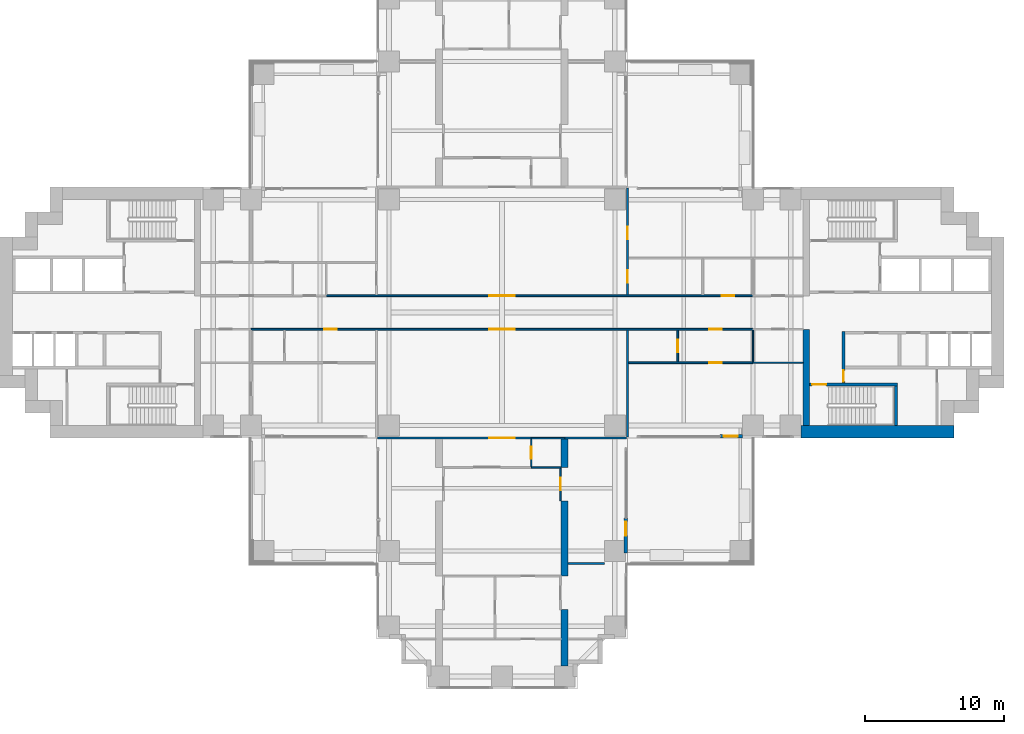
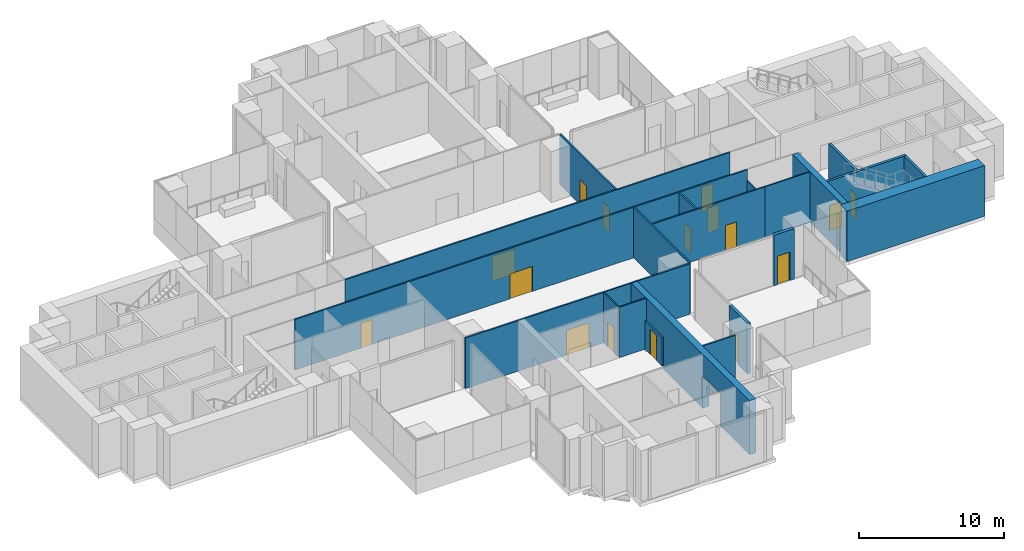
# One storey, part 9 of 15: 23 walls, 16 doors, 16 openings.
"""IFC4 building model written with IfcOpenShell, lengths in metres."""

import ifcopenshell
import ifcopenshell.guid

model = None  # the IFC model being written
_history = None  # IfcOwnerHistory: only IFC2X3 demands one
_inside = {}  # id of a spatial element -> (the spatial element, [elements in it])
_under = {}  # id of a project, library or spatial element -> (it, [spatial elements below it])
_declared = {}  # id of a project -> (the project, [libraries it declares])
_typed = {}  # id of a type object -> (the type object, [elements of that type])
_made_of = {}  # id of a material, layer set ... -> (it, [elements and type objects made of it])


def new_model(schema):
    """Start an empty IFC model of exactly this schema.

    Asked for "IFC4X3", IfcOpenShell would pick the latest addendum, in which some entities
    have other attributes; the version numbers below select the first issue.
    IFC2X3 requires an IfcOwnerHistory on every rooted entity: one is made here for all.
    """
    global model, _history
    if schema == "IFC4X3":
        model = ifcopenshell.file(schema_version=(4, 3, 0, 0))
    else:
        model = ifcopenshell.file(schema=schema)
    _inside.clear()
    _under.clear()
    _declared.clear()
    _typed.clear()
    _made_of.clear()
    _history = None
    if model.schema == "IFC2X3":
        org = make("IfcOrganization", Name="unknown")
        user = make(
            "IfcPersonAndOrganization",
            ThePerson=make("IfcPerson", FamilyName="unknown"),
            TheOrganization=org,
        )
        app = make(
            "IfcApplication",
            ApplicationDeveloper=org,
            Version="unknown",
            ApplicationFullName="unknown",
            ApplicationIdentifier="unknown",
        )
        _history = make(
            "IfcOwnerHistory",
            OwningUser=user,
            OwningApplication=app,
            ChangeAction="ADDED",
            CreationDate=0,
        )
    return model


def make(cls, **values):
    """One entity of the class cls with the attributes given. An attribute that is None is left unset."""
    return model.create_entity(
        cls, **{name: value for name, value in values.items() if value is not None}
    )


def rooted(cls, **values):
    """An entity with a GlobalId (a new one), such as an element, a storey or a relation."""
    return make(cls, GlobalId=ifcopenshell.guid.new(), OwnerHistory=_history, **values)


def si_unit(unit_type, name, prefix=None):
    """IfcSIUnit, for example si_unit("LENGTHUNIT", "METRE", prefix="MILLI")."""
    return make("IfcSIUnit", UnitType=unit_type, Prefix=prefix, Name=name)


def assignment(units):
    """IfcUnitAssignment: the units of a project."""
    return None if units is None else make("IfcUnitAssignment", Units=units)


def point(xyz):
    """IfcCartesianPoint."""
    return None if xyz is None else make("IfcCartesianPoint", Coordinates=xyz)


def direction(xyz):
    """IfcDirection."""
    return None if xyz is None else make("IfcDirection", DirectionRatios=xyz)


def frame(location, z_axis=None, x_axis=None):
    """IfcAxis2Placement3D, a coordinate frame: its origin and axes. An axis left out is left unset."""
    return make(
        "IfcAxis2Placement3D",
        Location=point(location),
        Axis=direction(z_axis),
        RefDirection=direction(x_axis),
    )


def frame_2d(location, x_axis=None):
    """IfcAxis2Placement2D, a coordinate frame in the plane: its origin and x axis."""
    return make(
        "IfcAxis2Placement2D", Location=point(location), RefDirection=direction(x_axis)
    )


def origin():
    """The frame at (0, 0, 0) with its axes left unset."""
    return frame((0.0, 0.0, 0.0))


def place(relative_to, where):
    """IfcLocalPlacement: puts the frame where relative to a parent placement (None: the world)."""
    return make(
        "IfcLocalPlacement", PlacementRelTo=relative_to, RelativePlacement=where
    )


def context(
    kind, dimensions, precision=None, world=None, true_north=None, identifier=None
):
    """IfcGeometricRepresentationContext, for example the 3D "Model" context."""
    return make(
        "IfcGeometricRepresentationContext",
        ContextIdentifier=identifier,
        ContextType=kind,
        CoordinateSpaceDimension=dimensions,
        Precision=precision,
        WorldCoordinateSystem=world,
        TrueNorth=true_north,
    )


def subcontext(parent, identifier, kind, view, scale=None):
    """IfcGeometricRepresentationSubContext, for example "Body" below "Model"."""
    return make(
        "IfcGeometricRepresentationSubContext",
        ContextIdentifier=identifier,
        ContextType=kind,
        ParentContext=parent,
        TargetScale=scale,
        TargetView=view,
    )


def project(units=None, contexts=None):
    """IfcProject with its units and contexts."""
    return rooted(
        "IfcProject",
        Name="project",
        RepresentationContexts=contexts,
        UnitsInContext=assignment(units),
    )


def spatial(cls, under=None, at=None, **own):
    """A site, building, storey or space (cls), placed at a placement, below another one or the project."""
    s = rooted(cls, ObjectPlacement=at, **own)
    if under is not None:
        _under.setdefault(under.id(), (under, []))[1].append(s)
    return s


def polyline(points):
    """IfcPolyline through the points."""
    return make("IfcPolyline", Points=[point(p) for p in points])


def profile(cls, at=None, kind="AREA", **sizes):
    """A parametric profile (cls). Its sizes go by their IFC names, for example OverallWidth=200.0."""
    return make(cls, ProfileType=kind, Position=at, **sizes)


def rectangle(**sizes):
    """IfcRectangleProfileDef."""
    return profile("IfcRectangleProfileDef", **sizes)


def outline(outer, holes=None, kind="AREA"):
    """IfcArbitraryClosedProfileDef: a profile drawn as a closed curve; with holes, ...WithVoids."""
    if holes is None:
        return make("IfcArbitraryClosedProfileDef", ProfileType=kind, OuterCurve=outer)
    return make(
        "IfcArbitraryProfileDefWithVoids",
        ProfileType=kind,
        OuterCurve=outer,
        InnerCurves=holes,
    )


def extrude(swept, where, along, depth):
    """IfcExtrudedAreaSolid: the profile swept, set in the frame where, extruded along a direction by depth."""
    return make(
        "IfcExtrudedAreaSolid",
        SweptArea=swept,
        Position=where,
        ExtrudedDirection=direction(along),
        Depth=depth,
    )


def shape(context_of_items, identifier, shape_type, items):
    """IfcShapeRepresentation: the items that make up one representation, for example the "Body"."""
    return make(
        "IfcShapeRepresentation",
        ContextOfItems=context_of_items,
        RepresentationIdentifier=identifier,
        RepresentationType=shape_type,
        Items=items,
    )


def material(Name=None, Category=None):
    """IfcMaterial."""
    return make("IfcMaterial", Name=Name, Category=Category)


def layer(
    of_material, thickness, ventilated=None, Name=None, Category=None, Priority=None
):
    """IfcMaterialLayer: one layer of a wall or slab, of a material (None: an air gap)."""
    return make(
        "IfcMaterialLayer",
        Material=of_material,
        LayerThickness=thickness,
        IsVentilated=ventilated,
        Name=Name,
        Category=Category,
        Priority=Priority,
    )


def layer_set(layers, Name=None):
    """IfcMaterialLayerSet."""
    return make("IfcMaterialLayerSet", MaterialLayers=layers, LayerSetName=Name)


def material_profile(
    of_material, cross_section, Name=None, Category=None, Priority=None
):
    """IfcMaterialProfile: a cross section and its material."""
    return make(
        "IfcMaterialProfile",
        Name=Name,
        Material=of_material,
        Profile=cross_section,
        Priority=Priority,
        Category=Category,
    )


def profile_set(profiles, Name=None, composite=None):
    """IfcMaterialProfileSet."""
    return make(
        "IfcMaterialProfileSet",
        Name=Name,
        MaterialProfiles=profiles,
        CompositeProfile=composite,
    )


def made_of(thing, what):
    """Note that an element or type object is made of a material, layer set ...; save() writes the relation."""
    if what is not None:
        _made_of.setdefault(what.id(), (what, []))[1].append(thing)
    return thing


def type_object(cls, material=None, **own):
    """A type object (cls), such as IfcWallType, which elements share."""
    return made_of(rooted(cls, **own), material)


def element(
    cls,
    number,
    at=None,
    inside=None,
    cuts=None,
    type_object=None,
    material=None,
    context=None,
    identifier="Body",
    shape_type=None,
    held_by="IfcProductDefinitionShape",
    body=None,
    shapes=None,
    **own,
):
    """One element of the class cls, such as IfcWall. Its Tag is "e" and its number.

    at: its placement. inside: the storey or other place that contains it. cuts: it is an
    opening in that element (IfcRelVoidsElement). A single representation is given by context,
    identifier, shape_type and body (its items); several are given by shapes. held_by: the class
    of the entity that holds the representations. save() writes the other relations.
    """
    e = rooted(cls, Tag="e%d" % number, ObjectPlacement=at, **own)
    if body is not None:
        shapes = [shape(context, identifier, shape_type, body)]
    if shapes is not None:
        e.Representation = make(held_by, Representations=shapes)
    if inside is not None:
        _inside.setdefault(inside.id(), (inside, []))[1].append(e)
    if cuts is not None:
        rooted(
            "IfcRelVoidsElement", RelatingBuildingElement=cuts, RelatedOpeningElement=e
        )
    if type_object is not None:
        _typed.setdefault(type_object.id(), (type_object, []))[1].append(e)
    return made_of(e, material)


def fill(opening, filler):
    """IfcRelFillsElement: the door or window that sits in an opening."""
    return rooted(
        "IfcRelFillsElement",
        RelatingOpeningElement=opening,
        RelatedBuildingElement=filler,
    )


def aggregate(whole, parts):
    """IfcRelAggregates: a whole, such as a stair, and the parts it consists of."""
    return rooted("IfcRelAggregates", RelatingObject=whole, RelatedObjects=parts)


def save(model, path):
    """Write the relations noted so far, then the file.

    IfcRelAggregates (storeys below a building ...), IfcRelContainedInSpatialStructure (elements
    in a storey), IfcRelDefinesByType, IfcRelAssociatesMaterial and IfcRelDeclares: one each for
    every whole, place, type object, material and project.
    """
    for whole, parts in _under.values():
        aggregate(whole, parts)
    for where, things in _inside.values():
        rooted(
            "IfcRelContainedInSpatialStructure",
            RelatedElements=things,
            RelatingStructure=where,
        )
    for kind, things in _typed.values():
        rooted("IfcRelDefinesByType", RelatedObjects=things, RelatingType=kind)
    for what, things in _made_of.values():
        rooted("IfcRelAssociatesMaterial", RelatedObjects=things, RelatingMaterial=what)
    for by, libraries in _declared.values():
        rooted("IfcRelDeclares", RelatingContext=by, RelatedDefinitions=libraries)
    model.write(path)


model = new_model("IFC4")

# Units and contexts
model_context = context("Model", 3, precision=1e-05, world=origin(), true_north=direction((0.0, 1.0)))
body_context = subcontext(model_context, "Body", "Model", "MODEL_VIEW")
ifc_project = project(units=[si_unit("LENGTHUNIT", "METRE"), si_unit("AREAUNIT", "SQUARE_METRE"), si_unit("VOLUMEUNIT", "CUBIC_METRE"), si_unit("PLANEANGLEUNIT", "RADIAN"), si_unit("MASSUNIT", "GRAM", prefix="KILO")], contexts=[model_context])

# Site, building, storey
site_placement = place(None, origin())
site = spatial("IfcSite", under=ifc_project, at=site_placement, CompositionType="ELEMENT")
building_placement = place(site_placement, origin())
building = spatial("IfcBuilding", under=site, at=building_placement, Name="Perihelion Cross Residences", CompositionType="ELEMENT")
storey_placement = place(building_placement, frame((0.0, 0.0, 32.0)))
storey = spatial("IfcBuildingStorey", under=building, at=storey_placement, Name="L04", CompositionType="ELEMENT", Elevation=32.0)

# Wall, opening, door
ifc_material_1 = material(Name="Concrete C30/37, bronze-clad", Category="concrete")
ifc_layer_1 = layer(ifc_material_1, 0.25)
ifc_layer_set_1 = layer_set([ifc_layer_1], Name="Bronze-clad pier wall 250")
wall_type_1 = type_object("IfcWallType", Name="Bronze-clad pier wall 250", PredefinedType="SOLIDWALL", material=ifc_layer_set_1)
wall_1_placement = place(storey_placement, frame((8.875, -17.22998046875, 0.0), z_axis=(0.0, 0.0, 1.0), x_axis=(0.0, 1.0, 0.0)))
wall_1 = element("IfcWall", 1, at=wall_1_placement, inside=storey, type_object=wall_type_1, Name="Wall FW1 L04 south side east bay 2 pier", PredefinedType="SOLIDWALL", context=body_context, shape_type="SweptSolid", body=[
    extrude(rectangle(XDim=2.47998046875, YDim=0.25, at=frame_2d((1.239990234375, 0.0))), origin(), (0.0, 0.0, 1.0), 4.25),
])
opening_1_placement = place(wall_1_placement, frame((1.22998046875, 0.0, 0.0)))
opening_1 = element("IfcOpeningElement", 2, at=opening_1_placement, cuts=wall_1, Name="Opening L04.E07", PredefinedType="OPENING", context=body_context, shape_type="SweptSolid", body=[
    extrude(rectangle(XDim=1.0, YDim=2.39990234375, at=frame_2d((0.5, 1.199951171875))), frame((0.0, 0.135009765625, 0.0), z_axis=(0.0, -1.0, 0.0), x_axis=(1.0, 0.0, 0.0)), (0.0, 0.0, 1.0), 0.27001953125),
])
ifc_material_2 = material(Name="Bronze anodised aluminium, glazed", Category="aluminium")
door_type_1 = type_object("IfcDoorType", Name="Balcony door 1000 x 2400", OperationType="NOTDEFINED", PredefinedType="DOOR", material=ifc_material_2)
door_1_placement = place(opening_1_placement, origin())
door_1 = element("IfcDoor", 3, at=door_1_placement, inside=storey, type_object=door_type_1, Name="Door L04.E07 south side east bay 2", OperationType="SINGLE_SWING_RIGHT", OverallHeight=2.39990234375, OverallWidth=1.0, PredefinedType="DOOR", context=body_context, shape_type="SweptSolid", body=[
    extrude(rectangle(XDim=1.0, YDim=2.39990234375, at=frame_2d((0.5, 1.199951171875))), frame((0.0, 0.02490234375, 0.0), z_axis=(0.0, -1.0, 0.0), x_axis=(1.0, 0.0, 0.0)), (0.0, 0.0, 1.0), 0.050048828125),
])
fill(opening_1, door_1)

wall_2_placement = place(storey_placement, frame((15.64990234375, -8.875, 0.0), z_axis=(0.0, 0.0, 1.0), x_axis=(1.0, 0.0, 0.0)))
wall_2 = element("IfcWall", 4, at=wall_2_placement, inside=storey, type_object=wall_type_1, Name="Wall FW1 L04 east side south bay 1 pier", PredefinedType="SOLIDWALL", context=body_context, shape_type="SweptSolid", body=[
    extrude(rectangle(XDim=1.60009765625, YDim=0.25, at=frame_2d((0.800048828125, 0.0))), origin(), (0.0, 0.0, 1.0), 4.25),
])
opening_2_placement = place(wall_2_placement, frame((0.25, 0.0, 0.0)))
opening_2 = element("IfcOpeningElement", 5, at=opening_2_placement, cuts=wall_2, Name="Opening L04.E08", PredefinedType="OPENING", context=body_context, shape_type="SweptSolid", body=[
    extrude(rectangle(XDim=1.0, YDim=2.39990234375, at=frame_2d((0.5, 1.199951171875))), frame((0.0, 0.135009765625, 0.0), z_axis=(0.0, -1.0, 0.0), x_axis=(1.0, 0.0, 0.0)), (0.0, 0.0, 1.0), 0.27001953125),
])
door_2_placement = place(opening_2_placement, origin())
door_2 = element("IfcDoor", 6, at=door_2_placement, inside=storey, type_object=door_type_1, Name="Door L04.E08 east side south bay 1", OperationType="SINGLE_SWING_LEFT", OverallHeight=2.39990234375, OverallWidth=1.0, PredefinedType="DOOR", context=body_context, shape_type="SweptSolid", body=[
    extrude(rectangle(XDim=1.0, YDim=2.39990234375, at=frame_2d((0.5, 1.199951171875))), frame((0.0, 0.02490234375, 0.0), z_axis=(0.0, -1.0, 0.0), x_axis=(1.0, 0.0, 0.0)), (0.0, 0.0, 1.0), 0.050048828125),
])
fill(opening_2, door_2)

# Walls
ifc_material_3 = material(Name="Concrete C60/75", Category="concrete")
ifc_layer_2 = layer(ifc_material_3, 0.449951171875)
ifc_layer_set_2 = layer_set([ifc_layer_2], Name="Core wall, inner 450")
wall_type_2 = type_object("IfcWallType", Name="Core wall, inner 450", PredefinedType="SHEAR", material=ifc_layer_set_2)
wall_3_placement = place(storey_placement, frame((21.824951171875, -8.10009765625, 0.0), z_axis=(0.0, 0.0, 1.0), x_axis=(0.0, 1.0, 0.0)))
element("IfcWall", 7, at=wall_3_placement, inside=storey, type_object=wall_type_2, Name="East core core wall, inner", PredefinedType="SHEAR", context=body_context, shape_type="SweptSolid", body=[
    extrude(rectangle(XDim=6.900146484375, YDim=0.449951171875, at=frame_2d((3.4501953125, 0.0))), origin(), (0.0, 0.0, 1.0), 4.25),
])
ifc_material_4 = material(Name="Concrete C60/75", Category="concrete")
ifc_layer_3 = layer(ifc_material_4, 0.89990234375)
ifc_layer_set_3 = layer_set([ifc_layer_3], Name="Core wall, outer 900")
wall_type_3 = type_object("IfcWallType", Name="Core wall, outer 900", PredefinedType="SHEAR", material=ifc_layer_set_3)
wall_4_placement = place(storey_placement, frame((21.449951171875, -8.550048828125, 0.0), z_axis=(0.0, 0.0, 1.0), x_axis=(1.0, 0.0, 0.0)))
element("IfcWall", 8, at=wall_4_placement, inside=storey, type_object=wall_type_3, Name="East core core wall, outer", PredefinedType="SHEAR", context=body_context, shape_type="SweptSolid", body=[
    extrude(rectangle(XDim=10.949951171875, YDim=0.89990234375, at=frame_2d((5.47509765625, 0.0))), origin(), (0.0, 0.0, 1.0), 4.25),
])

# Wall, opening, door
ifc_material_5 = material(Name="Plasterboard partition")
ifc_layer_4 = layer(ifc_material_5, 0.1201171875)
ifc_layer_set_4 = layer_set([ifc_layer_4], Name="Infill panel 120")
wall_type_4 = type_object("IfcWallType", Name="Infill panel 120", PredefinedType="PARTITIONING", material=ifc_layer_set_4)
wall_5_placement = place(storey_placement, frame((4.18994140625, -11.10009765625, 0.0), z_axis=(0.0, 0.0, 1.0), x_axis=(0.0, -1.0, 0.0)))
wall_5 = element("IfcWall", 9, at=wall_5_placement, inside=storey, type_object=wall_type_4, Name="Partition L04 WI05", PredefinedType="PARTITIONING", context=body_context, shape_type="SweptSolid", body=[
    extrude(rectangle(XDim=2.39990234375, YDim=0.1201171875, at=frame_2d((1.199951171875, 0.0))), origin(), (0.0, 0.0, 1.0), 2.39990234375),
])
opening_3_placement = place(wall_5_placement, frame((0.75, 0.0, 0.0)))
opening_3 = element("IfcOpeningElement", 10, at=opening_3_placement, cuts=wall_5, Name="Opening L04.A37", PredefinedType="OPENING", context=body_context, shape_type="SweptSolid", body=[
    extrude(rectangle(XDim=0.89990234375, YDim=2.10009765625, at=frame_2d((0.449951171875, 1.050048828125))), frame((0.0, 0.070068359375, 0.0), z_axis=(0.0, -1.0, 0.0), x_axis=(1.0, 0.0, 0.0)), (0.0, 0.0, 1.0), 0.14013671875),
])
ifc_material_6 = material(Name="Timber door leaf", Category="wood")
door_type_2 = type_object("IfcDoorType", Name="Interior room door 900 x 2100", OperationType="SINGLE_SWING_LEFT", PredefinedType="DOOR", material=ifc_material_6)
door_3_placement = place(opening_3_placement, origin())
door_3 = element("IfcDoor", 11, at=door_3_placement, inside=storey, type_object=door_type_2, Name="Door L04.A37", OperationType="SINGLE_SWING_RIGHT", OverallHeight=2.10009765625, OverallWidth=0.89990234375, PredefinedType="DOOR", context=body_context, shape_type="SweptSolid", body=[
    extrude(rectangle(XDim=0.89990234375, YDim=2.10009765625, at=frame_2d((0.449951171875, 1.050048828125))), frame((0.0, 0.02490234375, 0.0), z_axis=(0.0, -1.0, 0.0), x_axis=(1.0, 0.0, 0.0)), (0.0, 0.0, 1.0), 0.050048828125),
])
fill(opening_3, door_3)

ifc_material_7 = material(Name="Concrete C50/60", Category="concrete")
ifc_layer_5 = layer(ifc_material_7, 0.199951171875)
ifc_layer_set_5 = layer_set([ifc_layer_5], Name="Lobby wall 200")
wall_type_5 = type_object("IfcWallType", Name="Lobby wall 200", PredefinedType="SOLIDWALL", material=ifc_layer_set_5)
wall_6_placement = place(storey_placement, frame((24.5, -5.050048828125, 0.0), z_axis=(0.0, 0.0, 1.0), x_axis=(0.0, 1.0, 0.0)))
wall_6 = element("IfcWall", 12, at=wall_6_placement, inside=storey, type_object=wall_type_5, Name="East core lobby wall", PredefinedType="SOLIDWALL", context=body_context, shape_type="SweptSolid", body=[
    extrude(rectangle(XDim=3.699951171875, YDim=0.199951171875, at=frame_2d((1.85009765625, 0.0))), origin(), (0.0, 0.0, 1.0), 4.25),
])
opening_4_placement = place(wall_6_placement, frame((0.10009765625, 0.0, 0.0)))
opening_4 = element("IfcOpeningElement", 13, at=opening_4_placement, cuts=wall_6, Name="Opening L04.C08", PredefinedType="OPENING", context=body_context, shape_type="SweptSolid", body=[
    extrude(rectangle(XDim=0.800048828125, YDim=2.10009765625, at=frame_2d((0.39990234375, 1.050048828125))), frame((0.0, 0.10986328125, 0.0), z_axis=(0.0, -1.0, 0.0), x_axis=(1.0, 0.0, 0.0)), (0.0, 0.0, 1.0), 0.219970703125),
])
ifc_material_8 = material(Name="Steel, powder coated", Category="steel")
door_type_3 = type_object("IfcDoorType", Name="Riser door 800", OperationType="SINGLE_SWING_LEFT", PredefinedType="DOOR", material=ifc_material_8)
door_4_placement = place(opening_4_placement, origin())
door_4 = element("IfcDoor", 14, at=door_4_placement, inside=storey, type_object=door_type_3, Name="East core riser door", OperationType="SINGLE_SWING_LEFT", OverallHeight=2.10009765625, OverallWidth=0.800048828125, PredefinedType="DOOR", context=body_context, shape_type="SweptSolid", body=[
    extrude(rectangle(XDim=0.800048828125, YDim=2.10009765625, at=frame_2d((0.39990234375, 1.050048828125))), frame((0.0, 0.02490234375, 0.0), z_axis=(0.0, -1.0, 0.0), x_axis=(1.0, 0.0, 0.0)), (0.0, 0.0, 1.0), 0.050048828125),
])
fill(opening_4, door_4)

# Wall, openings, doors
ifc_material_9 = material(Name="Plasterboard partition")
ifc_layer_6 = layer(ifc_material_9, 0.1201171875)
ifc_layer_set_6 = layer_set([ifc_layer_6], Name="Partition wall 120")
wall_type_6 = type_object("IfcWallType", Name="Partition wall 120", PredefinedType="PARTITIONING", material=ifc_layer_set_6)
wall_7_placement = place(storey_placement, frame((-12.60009765625, 1.199951171875, 0.0), z_axis=(0.0, 0.0, 1.0), x_axis=(1.0, 0.0, 0.0)))
wall_7 = element("IfcWall", 15, at=wall_7_placement, inside=storey, type_object=wall_type_6, Name="Partition L04 W001", PredefinedType="PARTITIONING", context=body_context, shape_type="SweptSolid", body=[
    extrude(rectangle(XDim=30.60009765625, YDim=0.1201171875, at=frame_2d((15.300048828125, 0.0))), origin(), (0.0, 0.0, 1.0), 4.25),
])
opening_5_placement = place(wall_7_placement, frame((11.699951171875, 0.0, 0.0)))
opening_5 = element("IfcOpeningElement", 16, at=opening_5_placement, cuts=wall_7, Name="Opening L04.A01", PredefinedType="OPENING", context=body_context, shape_type="SweptSolid", body=[
    extrude(rectangle(XDim=1.800048828125, YDim=2.10009765625, at=frame_2d((0.89990234375, 1.050048828125))), frame((0.0, 0.070068359375, 0.0), z_axis=(0.0, -1.0, 0.0), x_axis=(1.0, 0.0, 0.0)), (0.0, 0.0, 1.0), 0.14013671875),
])
opening_6_placement = place(wall_7_placement, frame((28.35009765625, 0.0, 0.0)))
opening_6 = element("IfcOpeningElement", 17, at=opening_6_placement, cuts=wall_7, Name="Opening L04.A03", PredefinedType="OPENING", context=body_context, shape_type="SweptSolid", body=[
    extrude(rectangle(XDim=0.89990234375, YDim=2.10009765625, at=frame_2d((0.449951171875, 1.050048828125))), frame((0.0, 0.070068359375, 0.0), z_axis=(0.0, -1.0, 0.0), x_axis=(1.0, 0.0, 0.0)), (0.0, 0.0, 1.0), 0.14013671875),
])
ifc_material_10 = material(Name="Glazed timber door leaf", Category="wood")
door_type_4 = type_object("IfcDoorType", Name="Interior double leaf door 1800 x 2100", OperationType="DOUBLE_DOOR_SINGLE_SWING", PredefinedType="DOOR", material=ifc_material_10)
door_5_placement = place(opening_5_placement, origin())
door_5 = element("IfcDoor", 18, at=door_5_placement, inside=storey, type_object=door_type_4, Name="Door L04.A01", OperationType="SINGLE_SWING_LEFT", OverallHeight=2.10009765625, OverallWidth=1.800048828125, PredefinedType="DOOR", context=body_context, shape_type="SweptSolid", body=[
    extrude(rectangle(XDim=1.800048828125, YDim=2.10009765625, at=frame_2d((0.89990234375, 1.050048828125))), frame((0.0, 0.02490234375, 0.0), z_axis=(0.0, -1.0, 0.0), x_axis=(1.0, 0.0, 0.0)), (0.0, 0.0, 1.0), 0.050048828125),
])
fill(opening_5, door_5)
door_6_placement = place(opening_6_placement, origin())
door_6 = element("IfcDoor", 19, at=door_6_placement, inside=storey, type_object=door_type_2, Name="Door L04.A03", OperationType="SINGLE_SWING_LEFT", OverallHeight=2.10009765625, OverallWidth=0.89990234375, PredefinedType="DOOR", context=body_context, shape_type="SweptSolid", body=[
    extrude(rectangle(XDim=0.89990234375, YDim=2.10009765625, at=frame_2d((0.449951171875, 1.050048828125))), frame((0.0, 0.02490234375, 0.0), z_axis=(0.0, -1.0, 0.0), x_axis=(1.0, 0.0, 0.0)), (0.0, 0.0, 1.0), 0.050048828125),
])
fill(opening_6, door_6)

wall_8_placement = place(storey_placement, frame((18.0, -1.199951171875, 0.0), z_axis=(0.0, 0.0, 1.0), x_axis=(-1.0, 0.0, 0.0)))
wall_8 = element("IfcWall", 20, at=wall_8_placement, inside=storey, type_object=wall_type_6, Name="Partition L04 W002", PredefinedType="PARTITIONING", context=body_context, shape_type="SweptSolid", body=[
    extrude(rectangle(XDim=36.0, YDim=0.1201171875, at=frame_2d((18.0, 0.0))), origin(), (0.0, 0.0, 1.0), 4.25),
])
opening_7_placement = place(wall_8_placement, frame((17.10009765625, 0.0, 0.0)))
opening_7 = element("IfcOpeningElement", 21, at=opening_7_placement, cuts=wall_8, Name="Opening L04.A02", PredefinedType="OPENING", context=body_context, shape_type="SweptSolid", body=[
    extrude(rectangle(XDim=1.800048828125, YDim=2.10009765625, at=frame_2d((0.89990234375, 1.050048828125))), frame((0.0, 0.070068359375, 0.0), z_axis=(0.0, -1.0, 0.0), x_axis=(1.0, 0.0, 0.0)), (0.0, 0.0, 1.0), 0.14013671875),
])
opening_8_placement = place(wall_8_placement, frame((2.25, 0.0, 0.0)))
opening_8 = element("IfcOpeningElement", 22, at=opening_8_placement, cuts=wall_8, Name="Opening L04.A05", PredefinedType="OPENING", context=body_context, shape_type="SweptSolid", body=[
    extrude(rectangle(XDim=0.89990234375, YDim=2.10009765625, at=frame_2d((0.449951171875, 1.050048828125))), frame((0.0, 0.070068359375, 0.0), z_axis=(0.0, -1.0, 0.0), x_axis=(1.0, 0.0, 0.0)), (0.0, 0.0, 1.0), 0.14013671875),
])
opening_9_placement = place(wall_8_placement, frame((29.85009765625, 0.0, 0.0)))
opening_9 = element("IfcOpeningElement", 23, at=opening_9_placement, cuts=wall_8, Name="Opening L04.A09", PredefinedType="OPENING", context=body_context, shape_type="SweptSolid", body=[
    extrude(rectangle(XDim=0.89990234375, YDim=2.10009765625, at=frame_2d((0.449951171875, 1.050048828125))), frame((0.0, 0.070068359375, 0.0), z_axis=(0.0, -1.0, 0.0), x_axis=(1.0, 0.0, 0.0)), (0.0, 0.0, 1.0), 0.14013671875),
])
door_7_placement = place(opening_7_placement, origin())
door_7 = element("IfcDoor", 24, at=door_7_placement, inside=storey, type_object=door_type_4, Name="Door L04.A02", OperationType="SINGLE_SWING_LEFT", OverallHeight=2.10009765625, OverallWidth=1.800048828125, PredefinedType="DOOR", context=body_context, shape_type="SweptSolid", body=[
    extrude(rectangle(XDim=1.800048828125, YDim=2.10009765625, at=frame_2d((0.89990234375, 1.050048828125))), frame((0.0, 0.02490234375, 0.0), z_axis=(0.0, -1.0, 0.0), x_axis=(1.0, 0.0, 0.0)), (0.0, 0.0, 1.0), 0.050048828125),
])
fill(opening_7, door_7)
door_8_placement = place(opening_8_placement, origin())
door_8 = element("IfcDoor", 25, at=door_8_placement, inside=storey, type_object=door_type_2, Name="Door L04.A05", OperationType="SINGLE_SWING_RIGHT", OverallHeight=2.10009765625, OverallWidth=0.89990234375, PredefinedType="DOOR", context=body_context, shape_type="SweptSolid", body=[
    extrude(rectangle(XDim=0.89990234375, YDim=2.10009765625, at=frame_2d((0.449951171875, 1.050048828125))), frame((0.0, 0.02490234375, 0.0), z_axis=(0.0, -1.0, 0.0), x_axis=(1.0, 0.0, 0.0)), (0.0, 0.0, 1.0), 0.050048828125),
])
fill(opening_8, door_8)
door_9_placement = place(opening_9_placement, origin())
door_9 = element("IfcDoor", 26, at=door_9_placement, inside=storey, type_object=door_type_2, Name="Door L04.A09", OperationType="SINGLE_SWING_RIGHT", OverallHeight=2.10009765625, OverallWidth=0.89990234375, PredefinedType="DOOR", context=body_context, shape_type="SweptSolid", body=[
    extrude(rectangle(XDim=0.89990234375, YDim=2.10009765625, at=frame_2d((0.449951171875, 1.050048828125))), frame((0.0, 0.02490234375, 0.0), z_axis=(0.0, -1.0, 0.0), x_axis=(1.0, 0.0, 0.0)), (0.0, 0.0, 1.0), 0.050048828125),
])
fill(opening_9, door_9)

wall_9_placement = place(storey_placement, frame((9.0, 8.919921875, 0.0), z_axis=(0.0, 0.0, 1.0), x_axis=(0.0, -1.0, 0.0)))
wall_9 = element("IfcWall", 27, at=wall_9_placement, inside=storey, type_object=wall_type_6, Name="Partition L04 W008", PredefinedType="PARTITIONING", context=body_context, shape_type="SweptSolid", body=[
    extrude(rectangle(XDim=7.659912109375, YDim=0.1201171875, at=frame_2d((3.830078125, 0.0))), origin(), (0.0, 0.0, 1.0), 4.25),
])
opening_10_placement = place(wall_9_placement, frame((2.77001953125, 0.0, 0.0)))
opening_10 = element("IfcOpeningElement", 28, at=opening_10_placement, cuts=wall_9, Name="Opening L04.A16", PredefinedType="OPENING", context=body_context, shape_type="SweptSolid", body=[
    extrude(rectangle(XDim=0.89990234375, YDim=2.10009765625, at=frame_2d((0.449951171875, 1.050048828125))), frame((0.0, 0.070068359375, 0.0), z_axis=(0.0, -1.0, 0.0), x_axis=(1.0, 0.0, 0.0)), (0.0, 0.0, 1.0), 0.14013671875),
])
opening_11_placement = place(wall_9_placement, frame((5.889892578125, 0.0, 0.0)))
opening_11 = element("IfcOpeningElement", 29, at=opening_11_placement, cuts=wall_9, Name="Opening L04.A19", PredefinedType="OPENING", context=body_context, shape_type="SweptSolid", body=[
    extrude(rectangle(XDim=0.89990234375, YDim=2.10009765625, at=frame_2d((0.449951171875, 1.050048828125))), frame((0.0, 0.070068359375, 0.0), z_axis=(0.0, -1.0, 0.0), x_axis=(1.0, 0.0, 0.0)), (0.0, 0.0, 1.0), 0.14013671875),
])
door_10_placement = place(opening_10_placement, origin())
door_10 = element("IfcDoor", 30, at=door_10_placement, inside=storey, type_object=door_type_2, Name="Door L04.A16", OperationType="SINGLE_SWING_LEFT", OverallHeight=2.10009765625, OverallWidth=0.89990234375, PredefinedType="DOOR", context=body_context, shape_type="SweptSolid", body=[
    extrude(rectangle(XDim=0.89990234375, YDim=2.10009765625, at=frame_2d((0.449951171875, 1.050048828125))), frame((0.0, 0.02490234375, 0.0), z_axis=(0.0, -1.0, 0.0), x_axis=(1.0, 0.0, 0.0)), (0.0, 0.0, 1.0), 0.050048828125),
])
fill(opening_10, door_10)
door_11_placement = place(opening_11_placement, origin())
door_11 = element("IfcDoor", 31, at=door_11_placement, inside=storey, type_object=door_type_2, Name="Door L04.A19", OperationType="SINGLE_SWING_RIGHT", OverallHeight=2.10009765625, OverallWidth=0.89990234375, PredefinedType="DOOR", context=body_context, shape_type="SweptSolid", body=[
    extrude(rectangle(XDim=0.89990234375, YDim=2.10009765625, at=frame_2d((0.449951171875, 1.050048828125))), frame((0.0, 0.02490234375, 0.0), z_axis=(0.0, -1.0, 0.0), x_axis=(1.0, 0.0, 0.0)), (0.0, 0.0, 1.0), 0.050048828125),
])
fill(opening_11, door_11)

# Wall
wall_10_placement = place(storey_placement, frame((9.0, -1.260009765625, 0.0), z_axis=(0.0, 0.0, 1.0), x_axis=(0.0, -1.0, 0.0)))
element("IfcWall", 32, at=wall_10_placement, inside=storey, type_object=wall_type_6, Name="Partition L04 W013", PredefinedType="PARTITIONING", context=body_context, shape_type="SweptSolid", body=[
    extrude(rectangle(XDim=7.659912109375, YDim=0.1201171875, at=frame_2d((3.830078125, 0.0))), origin(), (0.0, 0.0, 1.0), 4.25),
])

# Wall, opening, door
wall_11_placement = place(storey_placement, frame((2.10009765625, -9.0, 0.0), z_axis=(0.0, 0.0, 1.0), x_axis=(-1.0, 0.0, 0.0)))
wall_11 = element("IfcWall", 33, at=wall_11_placement, inside=storey, type_object=wall_type_6, Name="Partition L04 W015", PredefinedType="PARTITIONING", context=body_context, shape_type="SweptSolid", body=[
    extrude(rectangle(XDim=11.02001953125, YDim=0.1201171875, at=frame_2d((5.510009765625, 0.0))), origin(), (0.0, 0.0, 1.0), 4.25),
])
opening_12_placement = place(wall_11_placement, frame((1.199951171875, 0.0, 0.0)))
opening_12 = element("IfcOpeningElement", 34, at=opening_12_placement, cuts=wall_11, Name="Opening L04.A27", PredefinedType="OPENING", context=body_context, shape_type="SweptSolid", body=[
    extrude(rectangle(XDim=1.800048828125, YDim=2.10009765625, at=frame_2d((0.89990234375, 1.050048828125))), frame((0.0, 0.070068359375, 0.0), z_axis=(0.0, -1.0, 0.0), x_axis=(1.0, 0.0, 0.0)), (0.0, 0.0, 1.0), 0.14013671875),
])
door_12_placement = place(opening_12_placement, origin())
door_12 = element("IfcDoor", 35, at=door_12_placement, inside=storey, type_object=door_type_4, Name="Door L04.A27", OperationType="SINGLE_SWING_LEFT", OverallHeight=2.10009765625, OverallWidth=1.800048828125, PredefinedType="DOOR", context=body_context, shape_type="SweptSolid", body=[
    extrude(rectangle(XDim=1.800048828125, YDim=2.10009765625, at=frame_2d((0.89990234375, 1.050048828125))), frame((0.0, 0.02490234375, 0.0), z_axis=(0.0, -1.0, 0.0), x_axis=(1.0, 0.0, 0.0)), (0.0, 0.0, 1.0), 0.050048828125),
])
fill(opening_12, door_12)

# Wall
wall_12_placement = place(storey_placement, frame((8.919921875, -9.0, 0.0), z_axis=(0.0, 0.0, 1.0), x_axis=(-1.0, 0.0, 0.0)))
element("IfcWall", 36, at=wall_12_placement, inside=storey, type_object=wall_type_6, Name="Partition L04 W017", PredefinedType="PARTITIONING", context=body_context, shape_type="SweptSolid", body=[
    extrude(rectangle(XDim=4.419921875, YDim=0.1201171875, at=frame_2d((2.2099609375, 0.0))), origin(), (0.0, 0.0, 1.0), 4.25),
])

# Wall, opening, door
wall_13_placement = place(storey_placement, frame((8.93994140625, -3.60009765625, 0.0), z_axis=(0.0, 0.0, 1.0), x_axis=(1.0, 0.0, 0.0)))
wall_13 = element("IfcWall", 37, at=wall_13_placement, inside=storey, type_object=wall_type_6, Name="Partition L04 W022", PredefinedType="PARTITIONING", context=body_context, shape_type="SweptSolid", body=[
    extrude(rectangle(XDim=9.06005859375, YDim=0.1201171875, at=frame_2d((4.530029296875, 0.0))), origin(), (0.0, 0.0, 1.0), 4.25),
])
opening_13_placement = place(wall_13_placement, frame((5.909912109375, 0.0, 0.0)))
opening_13 = element("IfcOpeningElement", 38, at=opening_13_placement, cuts=wall_13, Name="Opening L04.A14", PredefinedType="OPENING", context=body_context, shape_type="SweptSolid", body=[
    extrude(rectangle(XDim=0.89990234375, YDim=2.10009765625, at=frame_2d((0.449951171875, 1.050048828125))), frame((0.0, 0.070068359375, 0.0), z_axis=(0.0, -1.0, 0.0), x_axis=(1.0, 0.0, 0.0)), (0.0, 0.0, 1.0), 0.14013671875),
])
door_13_placement = place(opening_13_placement, origin())
door_13 = element("IfcDoor", 39, at=door_13_placement, inside=storey, type_object=door_type_2, Name="Door L04.A14", OperationType="SINGLE_SWING_RIGHT", OverallHeight=2.10009765625, OverallWidth=0.89990234375, PredefinedType="DOOR", context=body_context, shape_type="SweptSolid", body=[
    extrude(rectangle(XDim=0.89990234375, YDim=2.10009765625, at=frame_2d((0.449951171875, 1.050048828125))), frame((0.0, 0.02490234375, 0.0), z_axis=(0.0, -1.0, 0.0), x_axis=(1.0, 0.0, 0.0)), (0.0, 0.0, 1.0), 0.050048828125),
])
fill(opening_13, door_13)

wall_14_placement = place(storey_placement, frame((12.60009765625, -1.260009765625, 0.0), z_axis=(0.0, 0.0, 1.0), x_axis=(0.0, -1.0, 0.0)))
wall_14 = element("IfcWall", 40, at=wall_14_placement, inside=storey, type_object=wall_type_6, Name="Partition L04 W024", PredefinedType="PARTITIONING", context=body_context, shape_type="SweptSolid", body=[
    extrude(rectangle(XDim=2.280029296875, YDim=0.1201171875, at=frame_2d((1.14013671875, 0.0))), origin(), (0.0, 0.0, 1.0), 4.25),
])
opening_14_placement = place(wall_14_placement, frame((0.68994140625, 0.0, 0.0)))
opening_14 = element("IfcOpeningElement", 41, at=opening_14_placement, cuts=wall_14, Name="Opening L04.A20", PredefinedType="OPENING", context=body_context, shape_type="SweptSolid", body=[
    extrude(rectangle(XDim=0.89990234375, YDim=2.10009765625, at=frame_2d((0.449951171875, 1.050048828125))), frame((0.0, 0.070068359375, 0.0), z_axis=(0.0, -1.0, 0.0), x_axis=(1.0, 0.0, 0.0)), (0.0, 0.0, 1.0), 0.14013671875),
])
door_14_placement = place(opening_14_placement, origin())
door_14 = element("IfcDoor", 42, at=door_14_placement, inside=storey, type_object=door_type_2, Name="Door L04.A20", OperationType="SINGLE_SWING_RIGHT", OverallHeight=2.10009765625, OverallWidth=0.89990234375, PredefinedType="DOOR", context=body_context, shape_type="SweptSolid", body=[
    extrude(rectangle(XDim=0.89990234375, YDim=2.10009765625, at=frame_2d((0.449951171875, 1.050048828125))), frame((0.0, 0.02490234375, 0.0), z_axis=(0.0, -1.0, 0.0), x_axis=(1.0, 0.0, 0.0)), (0.0, 0.0, 1.0), 0.050048828125),
])
fill(opening_14, door_14)

# Wall
wall_15_placement = place(storey_placement, frame((7.35009765625, -18.0, 0.0), z_axis=(0.0, 0.0, 1.0), x_axis=(-1.0, 0.0, 0.0)))
element("IfcWall", 43, at=wall_15_placement, inside=storey, type_object=wall_type_6, Name="Partition L04 W053", PredefinedType="PARTITIONING", context=body_context, shape_type="SweptSolid", body=[
    extrude(rectangle(XDim=2.60009765625, YDim=0.1201171875, at=frame_2d((1.300048828125, 0.0))), origin(), (0.0, 0.0, 1.0), 4.25),
])

# Wall, opening, door
ifc_material_11 = material(Name="Concrete C50/60", Category="concrete")
ifc_layer_7 = layer(ifc_material_11, 0.199951171875)
ifc_layer_set_7 = layer_set([ifc_layer_7], Name="Stair wall 200")
wall_type_7 = type_object("IfcWallType", Name="Stair wall 200", PredefinedType="SOLIDWALL", material=ifc_layer_set_7)
wall_16_placement = place(storey_placement, frame((22.050048828125, -5.14990234375, 0.0), z_axis=(0.0, 0.0, 1.0), x_axis=(1.0, 0.0, 0.0)))
wall_16 = element("IfcWall", 44, at=wall_16_placement, inside=storey, type_object=wall_type_7, Name="East core stair wall", PredefinedType="SOLIDWALL", context=body_context, shape_type="SweptSolid", body=[
    extrude(rectangle(XDim=6.300048828125, YDim=0.199951171875, at=frame_2d((3.14990234375, 0.0))), origin(), (0.0, 0.0, 1.0), 4.25),
])
opening_15_placement = place(wall_16_placement, frame((0.199951171875, 0.0, 0.0)))
opening_15 = element("IfcOpeningElement", 45, at=opening_15_placement, cuts=wall_16, Name="Opening L04.C05", PredefinedType="OPENING", context=body_context, shape_type="SweptSolid", body=[
    extrude(rectangle(XDim=1.0, YDim=2.10009765625, at=frame_2d((0.5, 1.050048828125))), frame((0.0, 0.10986328125, 0.0), z_axis=(0.0, -1.0, 0.0), x_axis=(1.0, 0.0, 0.0)), (0.0, 0.0, 1.0), 0.219970703125),
])
ifc_material_12 = material(Name="Steel, powder coated", Category="steel")
door_type_5 = type_object("IfcDoorType", Name="Stair door 1000", OperationType="SINGLE_SWING_LEFT", PredefinedType="DOOR", material=ifc_material_12)
door_15_placement = place(opening_15_placement, origin())
door_15 = element("IfcDoor", 46, at=door_15_placement, inside=storey, type_object=door_type_5, Name="East core stair door", OperationType="SINGLE_SWING_LEFT", OverallHeight=2.10009765625, OverallWidth=1.0, PredefinedType="DOOR", context=body_context, shape_type="SweptSolid", body=[
    extrude(rectangle(XDim=1.0, YDim=2.10009765625, at=frame_2d((0.5, 1.050048828125))), frame((0.0, 0.02490234375, 0.0), z_axis=(0.0, -1.0, 0.0), x_axis=(1.0, 0.0, 0.0)), (0.0, 0.0, 1.0), 0.050048828125),
])
fill(opening_15, door_15)

# Walls
wall_17_placement = place(storey_placement, frame((28.25, -8.10009765625, 0.0), z_axis=(0.0, 0.0, 1.0), x_axis=(0.0, 1.0, 0.0)))
element("IfcWall", 47, at=wall_17_placement, inside=storey, type_object=wall_type_7, Name="East core stair wall", PredefinedType="SOLIDWALL", context=body_context, shape_type="SweptSolid", body=[
    extrude(rectangle(XDim=2.85009765625, YDim=0.199951171875, at=frame_2d((1.425048828125, 0.0))), origin(), (0.0, 0.0, 1.0), 4.25),
])
ifc_material_13 = material(Name="Concrete C60/75", Category="concrete")
ifc_material_profile = material_profile(ifc_material_13, outline(polyline([(0.0, 0.0), (4.050048828125, 0.0), (4.050048828125, 2.699951171875), (6.449951171875, 2.699951171875), (6.449951171875, 0.0), (11.85009765625, 0.0), (11.85009765625, 2.699951171875), (14.25, 2.699951171875), (14.25, 0.0), (16.35009765625, 0.0), (16.35009765625, 4.550048828125), (0.0, 4.550048828125), (0.0, 0.0)])), Name="Tip spine wall")
ifc_profile_set = profile_set([ifc_material_profile], Name="Concrete C60/75")
wall_type_8 = type_object("IfcWallType", Name="Tip spine wall 500 with 2 door openings 16350 long 4550 high concrete C60/75 hand A", PredefinedType="SHEAR", material=ifc_profile_set)
wall_18_placement = place(storey_placement, frame((4.25, -25.35009765625, -0.300048828125), z_axis=(1.0, 0.0, 0.0), x_axis=(0.0, 1.0, 0.0)))
element("IfcWall", 48, at=wall_18_placement, inside=storey, type_object=wall_type_8, Name="Shear wall SW21 L04 south east", PredefinedType="SHEAR", context=body_context, shape_type="SweptSolid", body=[
    extrude(outline(polyline([(0.0, 0.0), (4.050048828125, 0.0), (4.050048828125, 2.699951171875), (6.449951171875, 2.699951171875), (6.449951171875, 0.0), (11.85009765625, 0.0), (11.85009765625, 2.699951171875), (14.25, 2.699951171875), (14.25, 0.0), (16.35009765625, 0.0), (16.35009765625, 4.550048828125), (0.0, 4.550048828125), (0.0, 0.0)])), origin(), (0.0, 0.0, 1.0), 0.5),
])
ifc_material_14 = material(Name="Plasterboard partition")
ifc_layer_8 = layer(ifc_material_14, 0.10009765625)
ifc_layer_set_8 = layer_set([ifc_layer_8], Name="Wet room wall 100")
wall_type_9 = type_object("IfcWallType", Name="Wet room wall 100", PredefinedType="PARTITIONING", material=ifc_layer_set_8)
wall_19_placement = place(storey_placement, frame((4.5, -9.0, 0.0), z_axis=(0.0, 0.0, 1.0), x_axis=(-1.0, 0.0, 0.0)))
element("IfcWall", 49, at=wall_19_placement, inside=storey, type_object=wall_type_9, Name="Partition L04 W016", PredefinedType="PARTITIONING", context=body_context, shape_type="SweptSolid", body=[
    extrude(rectangle(XDim=2.39990234375, YDim=0.10009765625, at=frame_2d((1.199951171875, 0.0))), origin(), (0.0, 0.0, 1.0), 4.25),
])
wall_20_placement = place(storey_placement, frame((18.0, -3.60009765625, 0.0), z_axis=(0.0, 0.0, 1.0), x_axis=(1.0, 0.0, 0.0)))
element("IfcWall", 50, at=wall_20_placement, inside=storey, type_object=wall_type_9, Name="Partition L04 W023", PredefinedType="PARTITIONING", context=body_context, shape_type="SweptSolid", body=[
    extrude(rectangle(XDim=3.60009765625, YDim=0.10009765625, at=frame_2d((1.800048828125, 0.0))), origin(), (0.0, 0.0, 1.0), 4.25),
])
wall_21_placement = place(storey_placement, frame((18.0, -1.260009765625, 0.0), z_axis=(0.0, 0.0, 1.0), x_axis=(0.0, -1.0, 0.0)))
element("IfcWall", 51, at=wall_21_placement, inside=storey, type_object=wall_type_9, Name="Partition L04 W025", PredefinedType="PARTITIONING", context=body_context, shape_type="SweptSolid", body=[
    extrude(rectangle(XDim=2.280029296875, YDim=0.10009765625, at=frame_2d((1.14013671875, 0.0))), origin(), (0.0, 0.0, 1.0), 3.345947265625),
])

# Wall, opening, door
wall_22_placement = place(storey_placement, frame((2.10009765625, -9.06005859375, 0.0), z_axis=(0.0, 0.0, 1.0), x_axis=(0.0, -1.0, 0.0)))
wall_22 = element("IfcWall", 52, at=wall_22_placement, inside=storey, type_object=wall_type_9, Name="Partition L04 W047", PredefinedType="PARTITIONING", context=body_context, shape_type="SweptSolid", body=[
    extrude(rectangle(XDim=1.97998046875, YDim=0.10009765625, at=frame_2d((0.989990234375, 0.0))), origin(), (0.0, 0.0, 1.0), 4.25),
])
opening_16_placement = place(wall_22_placement, frame((0.56494140625, 0.0, 0.0)))
opening_16 = element("IfcOpeningElement", 53, at=opening_16_placement, cuts=wall_22, Name="Opening L04.A28", PredefinedType="OPENING", context=body_context, shape_type="SweptSolid", body=[
    extrude(rectangle(XDim=0.85009765625, YDim=2.10009765625, at=frame_2d((0.425048828125, 1.050048828125))), frame((0.0, 0.06005859375, 0.0), z_axis=(0.0, -1.0, 0.0), x_axis=(1.0, 0.0, 0.0)), (0.0, 0.0, 1.0), 0.1201171875),
])
ifc_material_15 = material(Name="Timber door leaf", Category="wood")
door_type_6 = type_object("IfcDoorType", Name="Interior bathroom door 850 x 2100", OperationType="SINGLE_SWING_LEFT", PredefinedType="DOOR", material=ifc_material_15)
door_16_placement = place(opening_16_placement, origin())
door_16 = element("IfcDoor", 54, at=door_16_placement, inside=storey, type_object=door_type_6, Name="Door L04.A28", OperationType="SINGLE_SWING_LEFT", OverallHeight=2.10009765625, OverallWidth=0.85009765625, PredefinedType="DOOR", context=body_context, shape_type="SweptSolid", body=[
    extrude(rectangle(XDim=0.85009765625, YDim=2.10009765625, at=frame_2d((0.425048828125, 1.050048828125))), frame((0.0, 0.02490234375, 0.0), z_axis=(0.0, -1.0, 0.0), x_axis=(1.0, 0.0, 0.0)), (0.0, 0.0, 1.0), 0.050048828125),
])
fill(opening_16, door_16)

# Wall
wall_23_placement = place(storey_placement, frame((4.25, -11.10009765625, 0.0), z_axis=(0.0, 0.0, 1.0), x_axis=(-1.0, 0.0, 0.0)))
element("IfcWall", 55, at=wall_23_placement, inside=storey, type_object=wall_type_9, Name="Partition L04 W049", PredefinedType="PARTITIONING", context=body_context, shape_type="SweptSolid", body=[
    extrude(rectangle(XDim=2.14990234375, YDim=0.10009765625, at=frame_2d((1.074951171875, 0.0))), origin(), (0.0, 0.0, 1.0), 4.25),
])

save(model, "model.ifc")
